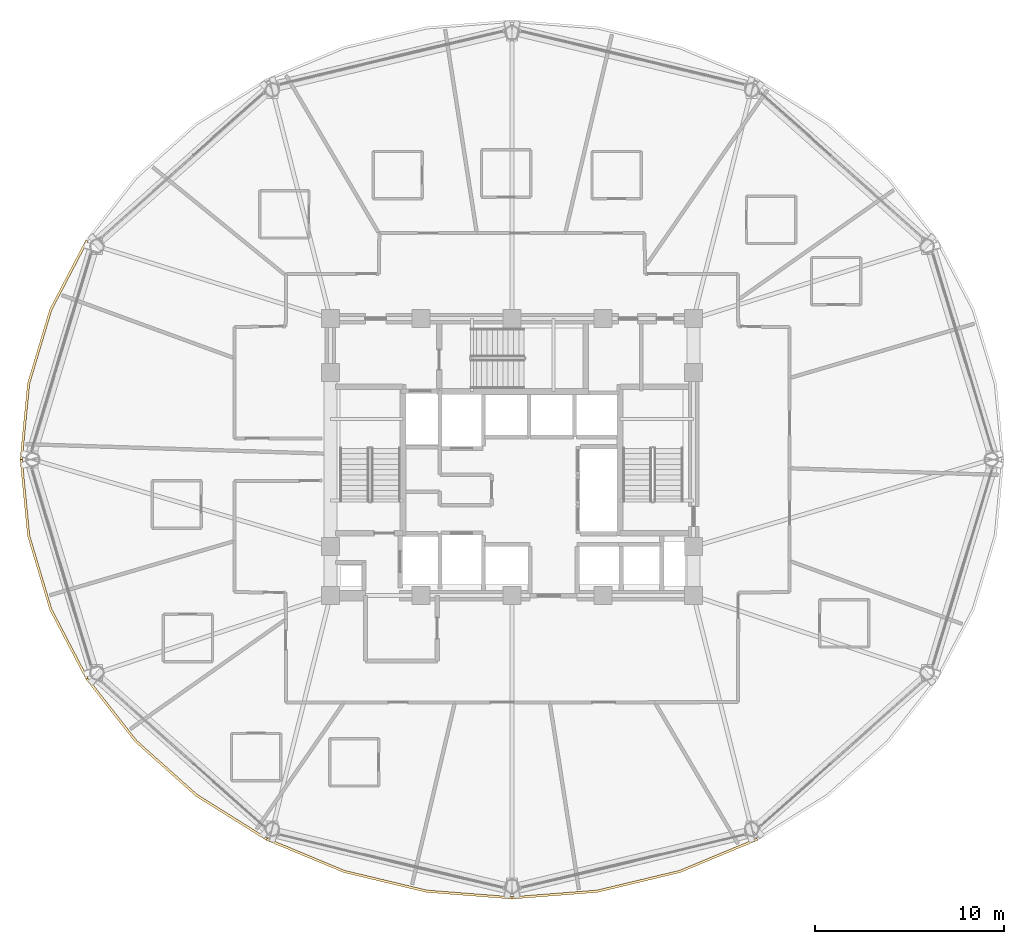
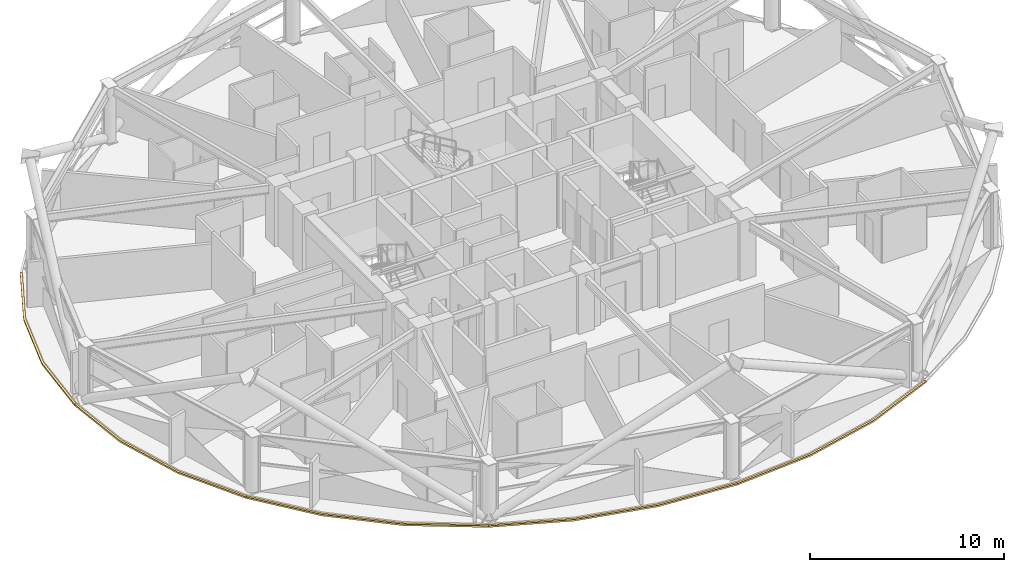
# One storey, part 27 of 30: 5 coverings.
"""IFC4 building model written with IfcOpenShell, lengths in metres."""

from ifc_helpers import new_model, si_unit, direction, frame, origin, place, context, subcontext, project, spatial, polyline, outline, extrude, material, layer, layer_set, type_object, element, save


model = new_model("IFC4")

# Units and contexts
model_context = context("Model", 3, precision=1e-05, world=origin(), true_north=direction((0.0, 1.0)))
body_context = subcontext(model_context, "Body", "Model", "MODEL_VIEW")
ifc_project = project(units=[si_unit("LENGTHUNIT", "METRE"), si_unit("AREAUNIT", "SQUARE_METRE"), si_unit("VOLUMEUNIT", "CUBIC_METRE"), si_unit("PLANEANGLEUNIT", "RADIAN"), si_unit("MASSUNIT", "GRAM", prefix="KILO")], contexts=[model_context])

# Site, building, storey
site_placement = place(None, origin())
site = spatial("IfcSite", under=ifc_project, at=site_placement, CompositionType="ELEMENT")
building_placement = place(site_placement, origin())
building = spatial("IfcBuilding", under=site, at=building_placement, Name="Vantalir Tower", CompositionType="ELEMENT")
storey_placement = place(building_placement, frame((0.0, 0.0, 119.699951171875)))
storey = spatial("IfcBuildingStorey", under=building, at=storey_placement, Name="L29", CompositionType="ELEMENT", Elevation=119.699951171875)

# Coverings
ifc_material = material(Name="Anodised champagne aluminium sill fascia", Category="aluminium")
ifc_layer = layer(ifc_material, 0.125)
ifc_layer_set = layer_set([ifc_layer], Name="Anodised champagne aluminium sill fascia")
covering_type = type_object("IfcCoveringType", Name="COV-SLAB-FASCIA-125", PredefinedType="CLADDING", material=ifc_layer_set)
covering_1_placement = place(storey_placement, frame((0.0, 0.0, -0.179931640625)))
element("IfcCovering", 1, at=covering_1_placement, inside=storey, type_object=covering_type, Name="L29 Perimeter Slab-Edge Sill Fascia 06", PredefinedType="CLADDING", context=body_context, shape_type="SweptSolid", body=[
    extrude(outline(polyline([(8.969970703125, 36.6201171875), (7.053955078125, 32.948974609375), (5.8798828125, 29.035888671875), (5.485107421875, 25.0), (5.610107421875, 25.0), (6.0029296875, 29.013916015625), (7.1708984375, 32.906005859375), (9.0791015625, 36.55810546875), (8.969970703125, 36.6201171875)])), origin(), (0.0, 0.0, 1.0), 0.10498046875),
])
covering_2_placement = place(storey_placement, frame((0.0, 0.0, -0.179931640625)))
element("IfcCovering", 2, at=covering_2_placement, inside=storey, type_object=covering_type, Name="L29 Perimeter Slab-Edge Sill Fascia 07", PredefinedType="CLADDING", context=body_context, shape_type="SweptSolid", body=[
    extrude(outline(polyline([(5.485107421875, 25.0), (5.8798828125, 20.964111328125), (7.053955078125, 17.051025390625), (8.969970703125, 13.37890625), (9.0791015625, 13.44189453125), (7.1708984375, 17.093994140625), (6.0029296875, 20.986083984375), (5.610107421875, 25.0), (5.485107421875, 25.0)])), origin(), (0.0, 0.0, 1.0), 0.10498046875),
])
covering_3_placement = place(storey_placement, frame((0.0, 0.0, -0.179931640625)))
element("IfcCovering", 3, at=covering_3_placement, inside=storey, type_object=covering_type, Name="L29 Perimeter Slab-Edge Sill Fascia 08", PredefinedType="CLADDING", context=body_context, shape_type="SweptSolid", body=[
    extrude(outline(polyline([(8.969970703125, 13.37890625), (11.571044921875, 10.06103515625), (14.778076171875, 7.196044921875), (18.491943359375, 4.873046875), (18.554931640625, 4.98095703125), (14.85791015625, 7.2919921875), (11.6669921875, 10.14111328125), (9.0791015625, 13.44189453125), (8.969970703125, 13.37890625)])), origin(), (0.0, 0.0, 1.0), 0.10498046875),
])
covering_4_placement = place(storey_placement, frame((0.0, 0.0, -0.179931640625)))
element("IfcCovering", 4, at=covering_4_placement, inside=storey, type_object=covering_type, Name="L29 Perimeter Slab-Edge Sill Fascia 09", PredefinedType="CLADDING", context=body_context, shape_type="SweptSolid", body=[
    extrude(outline(polyline([(18.491943359375, 4.873046875), (22.60205078125, 3.160888671875), (26.98291015625, 2.112060546875), (31.5, 1.759033203125), (31.5, 1.884033203125), (27.00390625, 2.235107421875), (22.64501953125, 3.278076171875), (18.554931640625, 4.98095703125), (18.491943359375, 4.873046875)])), origin(), (0.0, 0.0, 1.0), 0.10498046875),
])
covering_5_placement = place(storey_placement, frame((0.0, 0.0, -0.179931640625)))
element("IfcCovering", 5, at=covering_5_placement, inside=storey, type_object=covering_type, Name="L29 Perimeter Slab-Edge Sill Fascia 10", PredefinedType="CLADDING", context=body_context, shape_type="SweptSolid", body=[
    extrude(outline(polyline([(31.5, 1.759033203125), (36.01708984375, 2.112060546875), (40.39794921875, 3.160888671875), (44.508056640625, 4.873046875), (44.445068359375, 4.98095703125), (40.35498046875, 3.278076171875), (35.99609375, 2.235107421875), (31.5, 1.884033203125), (31.5, 1.759033203125)])), origin(), (0.0, 0.0, 1.0), 0.10498046875),
])

save(model, "model.ifc")
